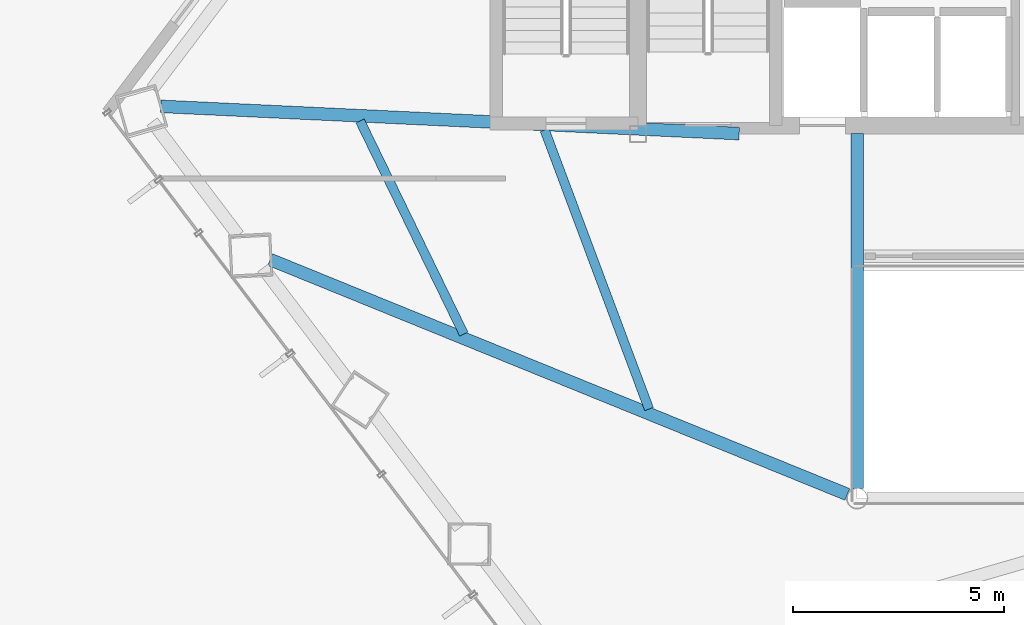
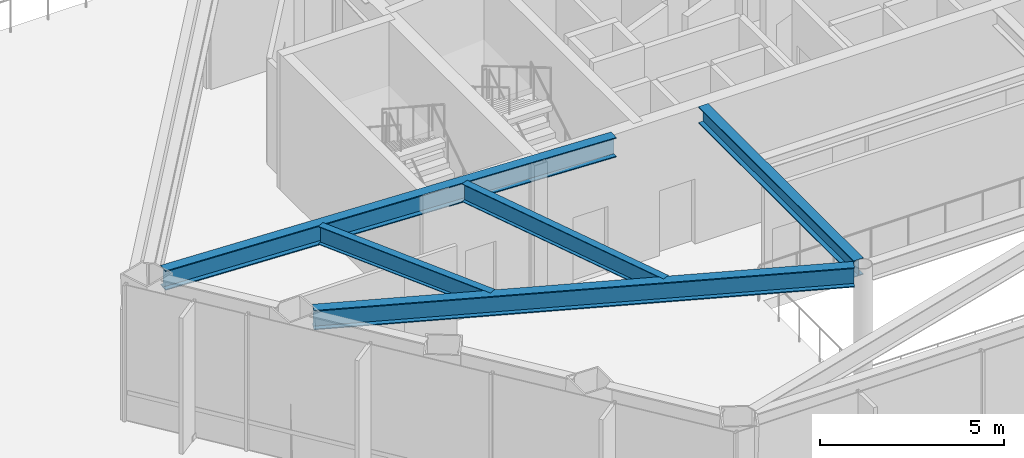
# One storey, part 5 of 30: 5 beams.
"""IFC4 building model written with IfcOpenShell, lengths in metres."""

from ifc_helpers import new_model, si_unit, direction, frame, origin, origin_2d, place, context, subcontext, project, spatial, i_section, extrude, material, material_profile, profile_set, type_object, element, save


model = new_model("IFC4")

# Units and contexts
model_context = context("Model", 3, precision=1e-05, world=origin(), true_north=direction((0.0, 1.0)))
body_context = subcontext(model_context, "Body", "Model", "MODEL_VIEW")
ifc_project = project(units=[si_unit("LENGTHUNIT", "METRE"), si_unit("AREAUNIT", "SQUARE_METRE"), si_unit("VOLUMEUNIT", "CUBIC_METRE"), si_unit("PLANEANGLEUNIT", "RADIAN"), si_unit("MASSUNIT", "GRAM", prefix="KILO")], contexts=[model_context])

# Site, building, storey
site_placement = place(None, origin())
site = spatial("IfcSite", under=ifc_project, at=site_placement, CompositionType="ELEMENT")
building_placement = place(site_placement, origin())
building = spatial("IfcBuilding", under=site, at=building_placement, Name="Zarrinselat Tower", CompositionType="ELEMENT")
storey_placement = place(building_placement, frame((0.0, 0.0, 22.780029296875)))
storey = spatial("IfcBuildingStorey", under=building, at=storey_placement, Name="L05", CompositionType="ELEMENT", Elevation=22.780029296875)

# Beams
ifc_material_1 = material(Name="Steel S355J2", Category="steel")
ifc_material_profile_1 = material_profile(ifc_material_1, i_section(OverallWidth=0.300048828125, OverallDepth=0.550048828125, WebThickness=0.014892578125, FlangeThickness=0.029052734375, at=origin_2d()), Name="HEB 550")
ifc_profile_set_1 = profile_set([ifc_material_profile_1], Name="Steel S355J2")
beam_type_1 = type_object("IfcBeamType", Name="BM-HEB550", PredefinedType="BEAM", material=ifc_profile_set_1)
beam_1_placement = place(storey_placement, frame((33.800048828125, 24.639892578125, 4.224853515625), z_axis=(0.0, 1.0, 0.0), x_axis=(-1.0, 0.0, 0.0)))
element("IfcBeam", 1, at=beam_1_placement, inside=storey, type_object=beam_type_1, Name="L05 Atrium Edge Beam W", PredefinedType="BEAM", context=body_context, shape_type="SweptSolid", body=[
    extrude(i_section(OverallWidth=0.300048828125, OverallDepth=0.550048828125, WebThickness=0.014892578125, FlangeThickness=0.029052734375, at=origin_2d()), origin(), (0.0, 0.0, 1.0), 8.420166015625),
])
ifc_material_2 = material(Name="Steel S355J2", Category="steel")
ifc_material_profile_2 = material_profile(ifc_material_2, i_section(OverallWidth=0.300048828125, OverallDepth=0.64990234375, WebThickness=0.01611328125, FlangeThickness=0.031005859375, at=origin_2d()), Name="HEB 650")
ifc_profile_set_2 = profile_set([ifc_material_profile_2], Name="Steel S355J2")
beam_type_2 = type_object("IfcBeamType", Name="BM-HEB650", PredefinedType="BEAM", material=ifc_profile_set_2)
beam_2_placement = place(storey_placement, frame((17.26953125, 33.707763671875, 4.175048828125), z_axis=(0.998889215529, -0.047120431878, 0.0), x_axis=(0.047120431878, 0.998889215529, 0.0)))
element("IfcBeam", 2, at=beam_2_placement, inside=storey, type_object=beam_type_2, Name="L05 Radial Primary Girder RG06", PredefinedType="BEAM", context=body_context, shape_type="SweptSolid", body=[
    extrude(i_section(OverallWidth=0.300048828125, OverallDepth=0.64990234375, WebThickness=0.01611328125, FlangeThickness=0.031005859375, at=origin_2d()), origin(), (0.0, 0.0, 1.0), 13.745849609375),
])
beam_3_placement = place(storey_placement, frame((19.864013671875, 30.069580078125, 4.175048828125), z_axis=(0.926276754833, -0.376843964337, 0.0), x_axis=(0.376843964337, 0.926276754833, 0.0)))
element("IfcBeam", 3, at=beam_3_placement, inside=storey, type_object=beam_type_2, Name="L05 Radial Primary Girder RG07", PredefinedType="BEAM", context=body_context, shape_type="SweptSolid", body=[
    extrude(i_section(OverallWidth=0.300048828125, OverallDepth=0.64990234375, WebThickness=0.01611328125, FlangeThickness=0.031005859375, at=origin_2d()), origin(), (0.0, 0.0, 1.0), 14.795166015625),
])
ifc_material_3 = material(Name="Steel S355J2", Category="steel")
ifc_material_profile_3 = material_profile(ifc_material_3, i_section(OverallWidth=0.219970703125, OverallDepth=0.60009765625, WebThickness=0.011962890625, FlangeThickness=0.01904296875, at=origin_2d()), Name="IPE 600")
ifc_profile_set_3 = profile_set([ifc_material_profile_3], Name="Steel S355J2")
beam_type_3 = type_object("IfcBeamType", Name="BM-IPE600", PredefinedType="JOIST", material=ifc_profile_set_3)
beam_4_placement = place(storey_placement, frame((21.999267578125, 33.36181640625, 4.199951171875), z_axis=(0.437542489086, -0.899197737011, 0.0), x_axis=(0.899197737011, 0.437542489086, 0.0)))
element("IfcBeam", 4, at=beam_4_placement, inside=storey, type_object=beam_type_3, Name="L05 Composite Floor Joist 1-1", PredefinedType="JOIST", context=body_context, shape_type="SweptSolid", body=[
    extrude(i_section(OverallWidth=0.219970703125, OverallDepth=0.60009765625, WebThickness=0.011962890625, FlangeThickness=0.01904296875, at=origin_2d()), origin(), (0.0, 0.0, 1.0), 5.62939453125),
])
beam_5_placement = place(storey_placement, frame((26.380615234375, 33.149169921875, 4.199951171875), z_axis=(0.350340703982, -0.93662233111, 0.0), x_axis=(0.93662233111, 0.350340703982, 0.0)))
element("IfcBeam", 5, at=beam_5_placement, inside=storey, type_object=beam_type_3, Name="L05 Composite Floor Joist 1-2", PredefinedType="JOIST", context=body_context, shape_type="SweptSolid", body=[
    extrude(i_section(OverallWidth=0.219970703125, OverallDepth=0.60009765625, WebThickness=0.011962890625, FlangeThickness=0.01904296875, at=origin_2d()), origin(), (0.0, 0.0, 1.0), 7.07666015625),
])

save(model, "model.ifc")
